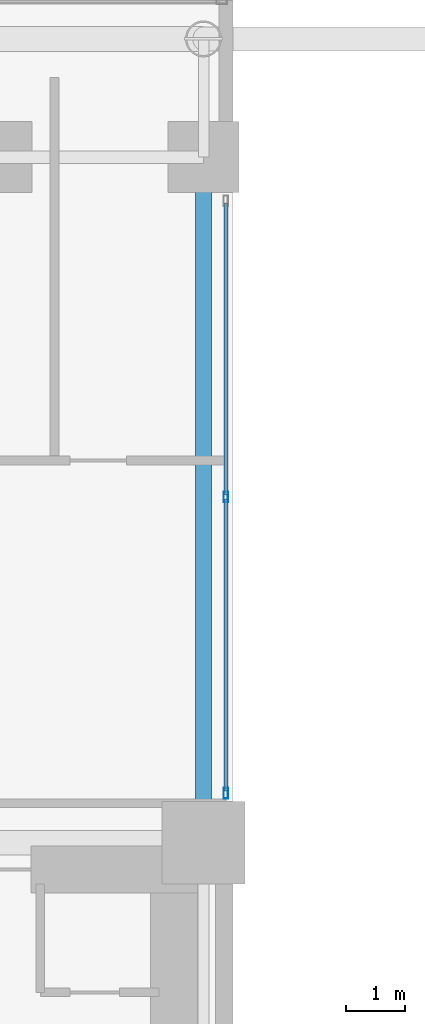
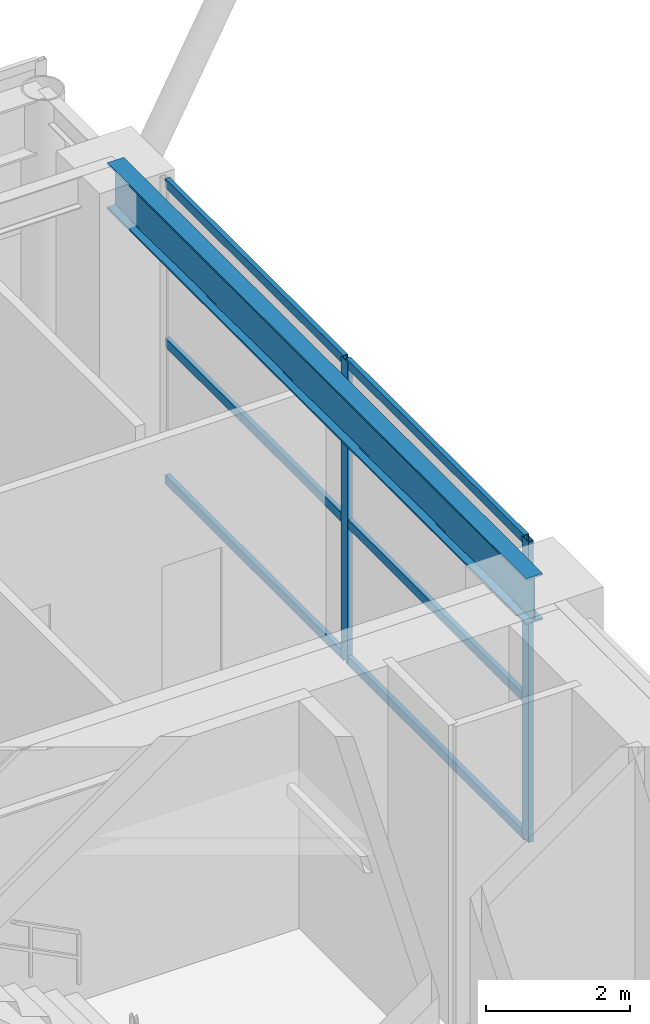
# One storey, part 12 of 29: 8 members, 1 beam, 1 element without a shape of its own.
"""IFC4 building model written with IfcOpenShell, lengths in metres."""

from ifc_helpers import new_model, si_unit, direction, frame, origin, origin_2d, place, context, subcontext, project, spatial, hollow_rectangle, i_section, extrude, source, transform, mapped, material, layer, layer_set, material_profile, profile_set, type_object, element, aggregate, save


model = new_model("IFC4")

# Units and contexts
model_context = context("Model", 3, precision=1e-05, world=origin(), true_north=direction((0.0, 1.0)))
body_context = subcontext(model_context, "Body", "Model", "MODEL_VIEW")
ifc_project = project(units=[si_unit("LENGTHUNIT", "METRE"), si_unit("AREAUNIT", "SQUARE_METRE"), si_unit("VOLUMEUNIT", "CUBIC_METRE"), si_unit("PLANEANGLEUNIT", "RADIAN"), si_unit("MASSUNIT", "GRAM", prefix="KILO")], contexts=[model_context])

# Site, building, storey
site_placement = place(None, origin())
site = spatial("IfcSite", under=ifc_project, at=site_placement, CompositionType="ELEMENT")
building_placement = place(site_placement, origin())
building = spatial("IfcBuilding", under=site, at=building_placement, Name="Ocotamira Hotel", CompositionType="ELEMENT")
storey_placement = place(building_placement, frame((0.0, 0.0, 6.0)))
storey = spatial("IfcBuildingStorey", under=building, at=storey_placement, Name="L02", CompositionType="ELEMENT", Elevation=6.0)

# Beam
ifc_material_1 = material(Name="Steel ASTM A992 Grade 50", Category="steel")
ifc_material_profile_1 = material_profile(ifc_material_1, i_section(OverallWidth=0.26611328125, OverallDepth=0.779052734375, WebThickness=0.0166015625, FlangeThickness=0.030029296875, FilletRadius=0.01806640625, at=origin_2d()), Name="W30X148")
ifc_profile_set_1 = profile_set([ifc_material_profile_1], Name="Steel ASTM A992 Grade 50")
beam_type = type_object("IfcBeamType", Name="BM-GIRD-W30X148", PredefinedType="BEAM", material=ifc_profile_set_1)
shared_shape_1 = source(origin(), body_context, "Body", "SweptSolid", [
    extrude(i_section(OverallWidth=0.26611328125, OverallDepth=0.779052734375, WebThickness=0.0166015625, FlangeThickness=0.030029296875, FilletRadius=0.01806640625, at=origin_2d()), origin(), (0.0, 0.0, 1.0), 11.60009765625),
])
beam_placement = place(storey_placement, frame((23.5, 37.449951171875, 4.6904296875), z_axis=(0.0, 1.0, 0.0), x_axis=(-1.0, 0.0, 0.0)))
element("IfcBeam", 1, at=beam_placement, inside=storey, type_object=beam_type, Name="L02 Beam X23.5 Y37.45-49.05", PredefinedType="BEAM", context=body_context, shape_type="MappedRepresentation", body=[
    mapped(shared_shape_1, transform((0.0, 0.0, 0.0), scale=1.0)),
])

# Curtain wall, members
ifc_material_2 = material(Name="Anodised pale-metal aluminium and solar glass", Category="aluminium")
ifc_layer = layer(ifc_material_2, 0.219970703125)
ifc_layer_set = layer_set([ifc_layer], Name="Anodised pale-metal aluminium and solar glass")
curtain_wall_type = type_object("IfcCurtainWallType", Name="CW-SYS1-POD", PredefinedType="NOTDEFINED", material=ifc_layer_set)
curtain_wall_placement = place(storey_placement, origin())
curtain_wall = element("IfcCurtainWall", 2, at=curtain_wall_placement, inside=storey, type_object=curtain_wall_type, Name="L02 Curtain Wall CW-1 CW-L02-AW-N", PredefinedType="NOTDEFINED")
ifc_material_3 = material(Name="Anodised pale-metal aluminium 6063-T6", Category="aluminium")
ifc_material_profile_2 = material_profile(ifc_material_3, hollow_rectangle(XDim=0.080078125, YDim=0.179931640625, WallThickness=0.006103515625, at=origin_2d()), Name="HSS180X80X6")
ifc_profile_set_2 = profile_set([ifc_material_profile_2], Name="Anodised pale-metal aluminium 6063-T6")
member_type_1 = type_object("IfcMemberType", Name="CWM-180X75", PredefinedType="MULLION", material=ifc_profile_set_2)
shared_shape_2 = source(origin(), body_context, "Body", "SweptSolid", [
    extrude(hollow_rectangle(XDim=0.080078125, YDim=0.179931640625, WallThickness=0.006103515625, at=origin_2d()), origin(), (0.0, 0.0, 1.0), 5.080078125),
])
member_1_placement = place(storey_placement, frame((23.8798828125, 38.2900390625, 0.0), z_axis=(0.0, 0.0, 1.0), x_axis=(-1.0, 0.0, 0.0)))
member_1 = element("IfcMember", 3, at=member_1_placement, type_object=member_type_1, Name="CW-1 mullion 1", PredefinedType="MULLION", context=body_context, shape_type="MappedRepresentation", body=[
    mapped(shared_shape_2, transform((0.0, 0.0, 0.0), scale=1.0)),
])
member_2_placement = place(storey_placement, frame((23.8798828125, 43.300048828125, 0.0), z_axis=(0.0, 0.0, 1.0), x_axis=(-1.0, 0.0, 0.0)))
member_2 = element("IfcMember", 4, at=member_2_placement, type_object=member_type_1, Name="CW-1 mullion 2", PredefinedType="MULLION", context=body_context, shape_type="MappedRepresentation", body=[
    mapped(shared_shape_2, transform((0.0, 0.0, 0.0), scale=1.0)),
])
ifc_material_profile_3 = material_profile(ifc_material_3, hollow_rectangle(XDim=0.074951171875, YDim=0.14990234375, WallThickness=0.006103515625, at=origin_2d()), Name="HSS150X75X6")
ifc_profile_set_3 = profile_set([ifc_material_profile_3], Name="Anodised pale-metal aluminium 6063-T6")
member_type_2 = type_object("IfcMemberType", Name="CWT-150X75", PredefinedType="USERDEFINED", material=ifc_profile_set_3)
shared_shape_3 = source(origin(), body_context, "Body", "SweptSolid", [
    extrude(hollow_rectangle(XDim=0.074951171875, YDim=0.14990234375, WallThickness=0.006103515625, at=origin_2d()), origin(), (0.0, 0.0, 1.0), 4.929931640625),
])
member_3_placement = place(storey_placement, frame((23.8798828125, 38.330078125, 0.03759765625), z_axis=(0.0, 1.0, 0.0), x_axis=(-1.0, 0.0, 0.0)))
member_3 = element("IfcMember", 5, at=member_3_placement, type_object=member_type_2, Name="CW-1 transom 1.1", ObjectType="TRANSOM", PredefinedType="USERDEFINED", context=body_context, shape_type="MappedRepresentation", body=[
    mapped(shared_shape_3, transform((0.0, 0.0, 0.0), scale=1.0)),
])
member_4_placement = place(storey_placement, frame((23.8798828125, 38.330078125, 2.35009765625), z_axis=(0.0, 1.0, 0.0), x_axis=(-1.0, 0.0, 0.0)))
member_4 = element("IfcMember", 6, at=member_4_placement, type_object=member_type_2, Name="CW-1 transom 1.2", ObjectType="TRANSOM", PredefinedType="USERDEFINED", context=body_context, shape_type="MappedRepresentation", body=[
    mapped(shared_shape_3, transform((0.0, 0.0, 0.0), scale=1.0)),
])
member_5_placement = place(storey_placement, frame((23.8798828125, 38.330078125, 5.04248046875), z_axis=(0.0, 1.0, 0.0), x_axis=(-1.0, 0.0, 0.0)))
member_5 = element("IfcMember", 7, at=member_5_placement, type_object=member_type_2, Name="CW-1 transom 1.3", ObjectType="TRANSOM", PredefinedType="USERDEFINED", context=body_context, shape_type="MappedRepresentation", body=[
    mapped(shared_shape_3, transform((0.0, 0.0, 0.0), scale=1.0)),
])
member_6_placement = place(storey_placement, frame((23.8798828125, 43.340087890625, 0.03759765625), z_axis=(0.0, 1.0, 0.0), x_axis=(-1.0, 0.0, 0.0)))
member_6 = element("IfcMember", 8, at=member_6_placement, type_object=member_type_2, Name="CW-1 transom 2.1", ObjectType="TRANSOM", PredefinedType="USERDEFINED", context=body_context, shape_type="MappedRepresentation", body=[
    mapped(shared_shape_3, transform((0.0, 0.0, 0.0), scale=1.0)),
])
member_7_placement = place(storey_placement, frame((23.8798828125, 43.340087890625, 2.35009765625), z_axis=(0.0, 1.0, 0.0), x_axis=(-1.0, 0.0, 0.0)))
member_7 = element("IfcMember", 9, at=member_7_placement, type_object=member_type_2, Name="CW-1 transom 2.2", ObjectType="TRANSOM", PredefinedType="USERDEFINED", context=body_context, shape_type="MappedRepresentation", body=[
    mapped(shared_shape_3, transform((0.0, 0.0, 0.0), scale=1.0)),
])
member_8_placement = place(storey_placement, frame((23.8798828125, 43.340087890625, 5.04248046875), z_axis=(0.0, 1.0, 0.0), x_axis=(-1.0, 0.0, 0.0)))
member_8 = element("IfcMember", 10, at=member_8_placement, type_object=member_type_2, Name="CW-1 transom 2.3", ObjectType="TRANSOM", PredefinedType="USERDEFINED", context=body_context, shape_type="MappedRepresentation", body=[
    mapped(shared_shape_3, transform((0.0, 0.0, 0.0), scale=1.0)),
])
aggregate(curtain_wall, [member_1, member_2, member_3, member_4, member_5, member_6, member_7, member_8])

save(model, "model.ifc")
